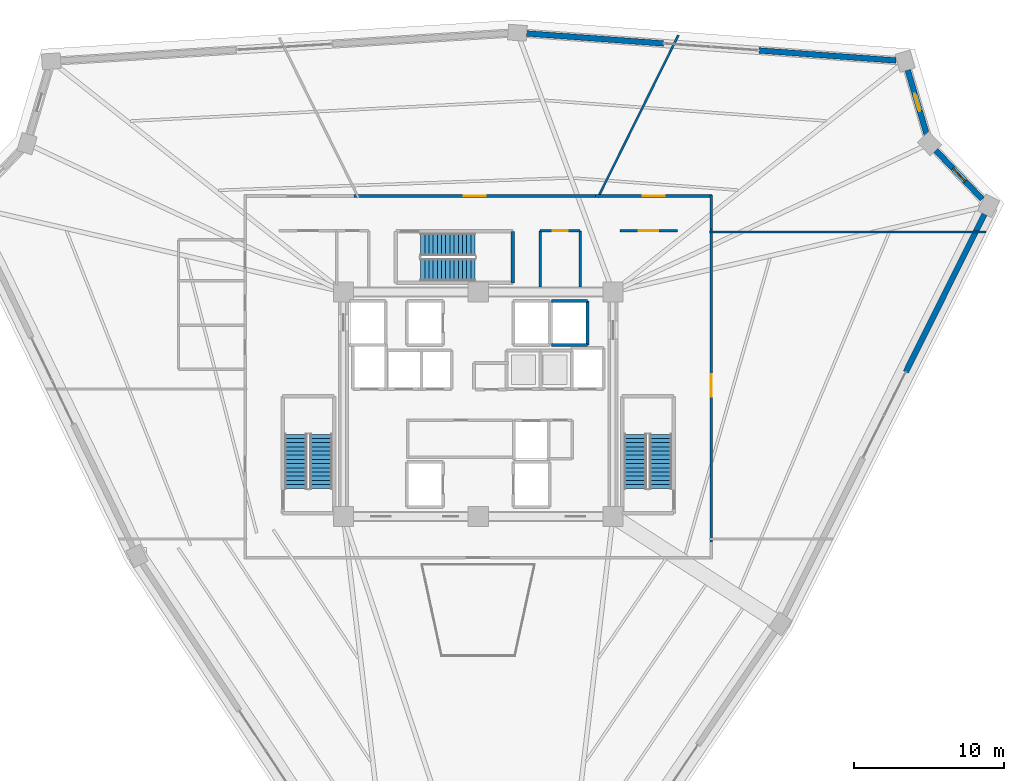
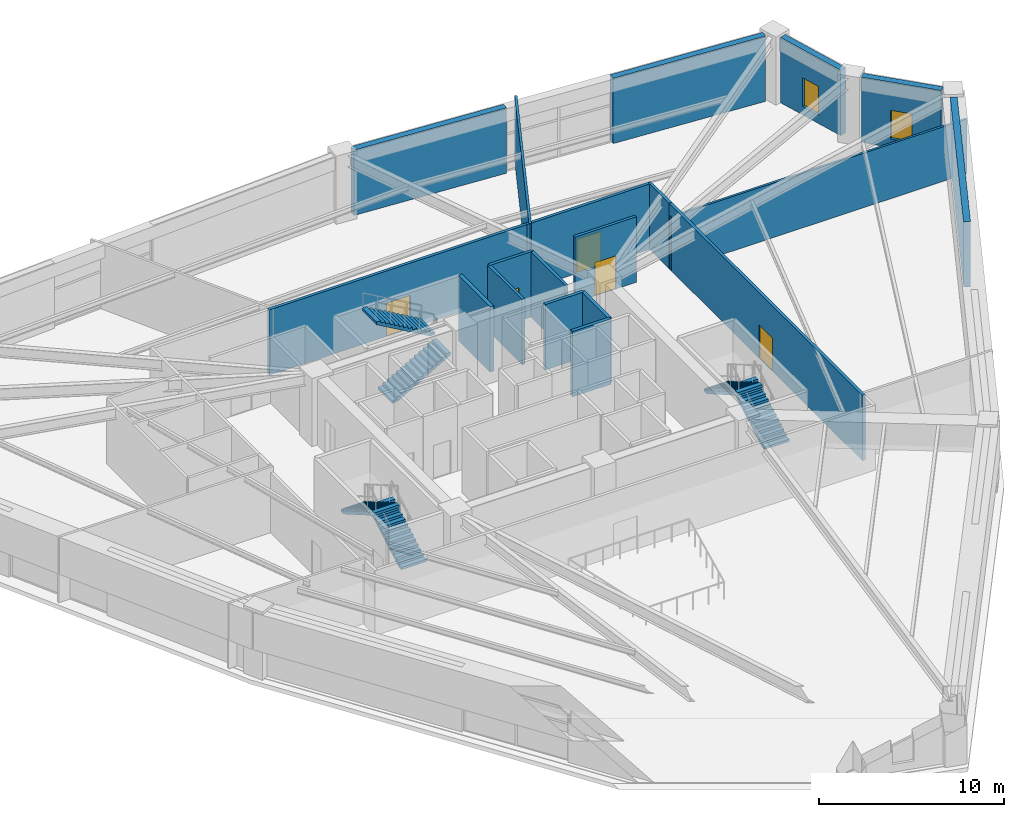
# One storey, part 35 of 39: 19 walls, 6 stair flights, 5 doors, 2 windows, 7 openings, 3 elements without a shape of their own.
"""IFC4 building model written with IfcOpenShell, lengths in metres."""

import ifcopenshell
import ifcopenshell.guid

model = None  # the IFC model being written
_history = None  # IfcOwnerHistory: only IFC2X3 demands one
_inside = {}  # id of a spatial element -> (the spatial element, [elements in it])
_under = {}  # id of a project, library or spatial element -> (it, [spatial elements below it])
_declared = {}  # id of a project -> (the project, [libraries it declares])
_typed = {}  # id of a type object -> (the type object, [elements of that type])
_made_of = {}  # id of a material, layer set ... -> (it, [elements and type objects made of it])


def new_model(schema):
    """Start an empty IFC model of exactly this schema.

    Asked for "IFC4X3", IfcOpenShell would pick the latest addendum, in which some entities
    have other attributes; the version numbers below select the first issue.
    IFC2X3 requires an IfcOwnerHistory on every rooted entity: one is made here for all.
    """
    global model, _history
    if schema == "IFC4X3":
        model = ifcopenshell.file(schema_version=(4, 3, 0, 0))
    else:
        model = ifcopenshell.file(schema=schema)
    _inside.clear()
    _under.clear()
    _declared.clear()
    _typed.clear()
    _made_of.clear()
    _history = None
    if model.schema == "IFC2X3":
        org = make("IfcOrganization", Name="unknown")
        user = make(
            "IfcPersonAndOrganization",
            ThePerson=make("IfcPerson", FamilyName="unknown"),
            TheOrganization=org,
        )
        app = make(
            "IfcApplication",
            ApplicationDeveloper=org,
            Version="unknown",
            ApplicationFullName="unknown",
            ApplicationIdentifier="unknown",
        )
        _history = make(
            "IfcOwnerHistory",
            OwningUser=user,
            OwningApplication=app,
            ChangeAction="ADDED",
            CreationDate=0,
        )
    return model


def make(cls, **values):
    """One entity of the class cls with the attributes given. An attribute that is None is left unset."""
    return model.create_entity(
        cls, **{name: value for name, value in values.items() if value is not None}
    )


def rooted(cls, **values):
    """An entity with a GlobalId (a new one), such as an element, a storey or a relation."""
    return make(cls, GlobalId=ifcopenshell.guid.new(), OwnerHistory=_history, **values)


def si_unit(unit_type, name, prefix=None):
    """IfcSIUnit, for example si_unit("LENGTHUNIT", "METRE", prefix="MILLI")."""
    return make("IfcSIUnit", UnitType=unit_type, Prefix=prefix, Name=name)


def assignment(units):
    """IfcUnitAssignment: the units of a project."""
    return None if units is None else make("IfcUnitAssignment", Units=units)


def point(xyz):
    """IfcCartesianPoint."""
    return None if xyz is None else make("IfcCartesianPoint", Coordinates=xyz)


def direction(xyz):
    """IfcDirection."""
    return None if xyz is None else make("IfcDirection", DirectionRatios=xyz)


def frame(location, z_axis=None, x_axis=None):
    """IfcAxis2Placement3D, a coordinate frame: its origin and axes. An axis left out is left unset."""
    return make(
        "IfcAxis2Placement3D",
        Location=point(location),
        Axis=direction(z_axis),
        RefDirection=direction(x_axis),
    )


def frame_2d(location, x_axis=None):
    """IfcAxis2Placement2D, a coordinate frame in the plane: its origin and x axis."""
    return make(
        "IfcAxis2Placement2D", Location=point(location), RefDirection=direction(x_axis)
    )


def origin():
    """The frame at (0, 0, 0) with its axes left unset."""
    return frame((0.0, 0.0, 0.0))


def place(relative_to, where):
    """IfcLocalPlacement: puts the frame where relative to a parent placement (None: the world)."""
    return make(
        "IfcLocalPlacement", PlacementRelTo=relative_to, RelativePlacement=where
    )


def context(
    kind, dimensions, precision=None, world=None, true_north=None, identifier=None
):
    """IfcGeometricRepresentationContext, for example the 3D "Model" context."""
    return make(
        "IfcGeometricRepresentationContext",
        ContextIdentifier=identifier,
        ContextType=kind,
        CoordinateSpaceDimension=dimensions,
        Precision=precision,
        WorldCoordinateSystem=world,
        TrueNorth=true_north,
    )


def subcontext(parent, identifier, kind, view, scale=None):
    """IfcGeometricRepresentationSubContext, for example "Body" below "Model"."""
    return make(
        "IfcGeometricRepresentationSubContext",
        ContextIdentifier=identifier,
        ContextType=kind,
        ParentContext=parent,
        TargetScale=scale,
        TargetView=view,
    )


def project(units=None, contexts=None):
    """IfcProject with its units and contexts."""
    return rooted(
        "IfcProject",
        Name="project",
        RepresentationContexts=contexts,
        UnitsInContext=assignment(units),
    )


def spatial(cls, under=None, at=None, **own):
    """A site, building, storey or space (cls), placed at a placement, below another one or the project."""
    s = rooted(cls, ObjectPlacement=at, **own)
    if under is not None:
        _under.setdefault(under.id(), (under, []))[1].append(s)
    return s


def polyline(points):
    """IfcPolyline through the points."""
    return make("IfcPolyline", Points=[point(p) for p in points])


def profile(cls, at=None, kind="AREA", **sizes):
    """A parametric profile (cls). Its sizes go by their IFC names, for example OverallWidth=200.0."""
    return make(cls, ProfileType=kind, Position=at, **sizes)


def rectangle(**sizes):
    """IfcRectangleProfileDef."""
    return profile("IfcRectangleProfileDef", **sizes)


def outline(outer, holes=None, kind="AREA"):
    """IfcArbitraryClosedProfileDef: a profile drawn as a closed curve; with holes, ...WithVoids."""
    if holes is None:
        return make("IfcArbitraryClosedProfileDef", ProfileType=kind, OuterCurve=outer)
    return make(
        "IfcArbitraryProfileDefWithVoids",
        ProfileType=kind,
        OuterCurve=outer,
        InnerCurves=holes,
    )


def extrude(swept, where, along, depth):
    """IfcExtrudedAreaSolid: the profile swept, set in the frame where, extruded along a direction by depth."""
    return make(
        "IfcExtrudedAreaSolid",
        SweptArea=swept,
        Position=where,
        ExtrudedDirection=direction(along),
        Depth=depth,
    )


def shape(context_of_items, identifier, shape_type, items):
    """IfcShapeRepresentation: the items that make up one representation, for example the "Body"."""
    return make(
        "IfcShapeRepresentation",
        ContextOfItems=context_of_items,
        RepresentationIdentifier=identifier,
        RepresentationType=shape_type,
        Items=items,
    )


def source(mapping_origin, context_of_items, identifier, shape_type, items):
    """IfcRepresentationMap: a shape defined once, which mapped items show again and again."""
    return make(
        "IfcRepresentationMap",
        MappingOrigin=mapping_origin,
        MappedRepresentation=shape(context_of_items, identifier, shape_type, items),
    )


def transform(
    local_origin,
    x_axis=None,
    y_axis=None,
    z_axis=None,
    scale=None,
    scale2=None,
    scale3=None,
    uniform=True,
):
    """IfcCartesianTransformationOperator3D, or its non-uniform kind. x_axis, y_axis, z_axis: its Axis1, 2, 3."""
    if uniform:
        return make(
            "IfcCartesianTransformationOperator3D",
            Axis1=direction(x_axis),
            Axis2=direction(y_axis),
            LocalOrigin=point(local_origin),
            Scale=scale,
            Axis3=direction(z_axis),
        )
    return make(
        "IfcCartesianTransformationOperator3DnonUniform",
        Axis1=direction(x_axis),
        Axis2=direction(y_axis),
        LocalOrigin=point(local_origin),
        Scale=scale,
        Axis3=direction(z_axis),
        Scale2=scale2,
        Scale3=scale3,
    )


def mapped(mapping_source, mapping_target):
    """IfcMappedItem: shows the shape of a source again, moved by a transform."""
    return make(
        "IfcMappedItem", MappingSource=mapping_source, MappingTarget=mapping_target
    )


def material(Name=None, Category=None):
    """IfcMaterial."""
    return make("IfcMaterial", Name=Name, Category=Category)


def layer(
    of_material, thickness, ventilated=None, Name=None, Category=None, Priority=None
):
    """IfcMaterialLayer: one layer of a wall or slab, of a material (None: an air gap)."""
    return make(
        "IfcMaterialLayer",
        Material=of_material,
        LayerThickness=thickness,
        IsVentilated=ventilated,
        Name=Name,
        Category=Category,
        Priority=Priority,
    )


def layer_set(layers, Name=None):
    """IfcMaterialLayerSet."""
    return make("IfcMaterialLayerSet", MaterialLayers=layers, LayerSetName=Name)


def made_of(thing, what):
    """Note that an element or type object is made of a material, layer set ...; save() writes the relation."""
    if what is not None:
        _made_of.setdefault(what.id(), (what, []))[1].append(thing)
    return thing


def type_object(cls, material=None, **own):
    """A type object (cls), such as IfcWallType, which elements share."""
    return made_of(rooted(cls, **own), material)


def element(
    cls,
    number,
    at=None,
    inside=None,
    cuts=None,
    type_object=None,
    material=None,
    context=None,
    identifier="Body",
    shape_type=None,
    held_by="IfcProductDefinitionShape",
    body=None,
    shapes=None,
    **own,
):
    """One element of the class cls, such as IfcWall. Its Tag is "e" and its number.

    at: its placement. inside: the storey or other place that contains it. cuts: it is an
    opening in that element (IfcRelVoidsElement). A single representation is given by context,
    identifier, shape_type and body (its items); several are given by shapes. held_by: the class
    of the entity that holds the representations. save() writes the other relations.
    """
    e = rooted(cls, Tag="e%d" % number, ObjectPlacement=at, **own)
    if body is not None:
        shapes = [shape(context, identifier, shape_type, body)]
    if shapes is not None:
        e.Representation = make(held_by, Representations=shapes)
    if inside is not None:
        _inside.setdefault(inside.id(), (inside, []))[1].append(e)
    if cuts is not None:
        rooted(
            "IfcRelVoidsElement", RelatingBuildingElement=cuts, RelatedOpeningElement=e
        )
    if type_object is not None:
        _typed.setdefault(type_object.id(), (type_object, []))[1].append(e)
    return made_of(e, material)


def fill(opening, filler):
    """IfcRelFillsElement: the door or window that sits in an opening."""
    return rooted(
        "IfcRelFillsElement",
        RelatingOpeningElement=opening,
        RelatedBuildingElement=filler,
    )


def aggregate(whole, parts):
    """IfcRelAggregates: a whole, such as a stair, and the parts it consists of."""
    return rooted("IfcRelAggregates", RelatingObject=whole, RelatedObjects=parts)


def save(model, path):
    """Write the relations noted so far, then the file.

    IfcRelAggregates (storeys below a building ...), IfcRelContainedInSpatialStructure (elements
    in a storey), IfcRelDefinesByType, IfcRelAssociatesMaterial and IfcRelDeclares: one each for
    every whole, place, type object, material and project.
    """
    for whole, parts in _under.values():
        aggregate(whole, parts)
    for where, things in _inside.values():
        rooted(
            "IfcRelContainedInSpatialStructure",
            RelatedElements=things,
            RelatingStructure=where,
        )
    for kind, things in _typed.values():
        rooted("IfcRelDefinesByType", RelatedObjects=things, RelatingType=kind)
    for what, things in _made_of.values():
        rooted("IfcRelAssociatesMaterial", RelatedObjects=things, RelatingMaterial=what)
    for by, libraries in _declared.values():
        rooted("IfcRelDeclares", RelatingContext=by, RelatedDefinitions=libraries)
    model.write(path)


model = new_model("IFC4")

# Units and contexts
model_context = context("Model", 3, precision=1e-05, world=origin(), true_north=direction((0.0, 1.0)))
body_context = subcontext(model_context, "Body", "Model", "MODEL_VIEW")
ifc_project = project(units=[si_unit("LENGTHUNIT", "METRE"), si_unit("AREAUNIT", "SQUARE_METRE"), si_unit("VOLUMEUNIT", "CUBIC_METRE"), si_unit("PLANEANGLEUNIT", "RADIAN"), si_unit("MASSUNIT", "GRAM", prefix="KILO")], contexts=[model_context])

# Site, building, storey
site_placement = place(None, origin())
site = spatial("IfcSite", under=ifc_project, at=site_placement, CompositionType="ELEMENT")
building_placement = place(site_placement, origin())
building = spatial("IfcBuilding", under=site, at=building_placement, Name="Liaohun Quay Tower", CompositionType="ELEMENT")
storey_placement = place(building_placement, frame((0.0, 0.0, 189.75)))
storey = spatial("IfcBuildingStorey", under=building, at=storey_placement, Name="L49", CompositionType="ELEMENT", Elevation=189.75)

# Wall
ifc_material_1 = material(Name="Precast concrete C50 insulated sandwich", Category="concrete")
ifc_layer_1 = layer(ifc_material_1, 0.3798828125, Name="Precast concrete C50 insulated sandwich", Category="concrete")
ifc_layer_set_1 = layer_set([ifc_layer_1], Name="Precast concrete C50 insulated sandwich")
wall_type_1 = type_object("IfcWallType", Name="WAL-EXT-Z34", PredefinedType="SOLIDWALL", material=ifc_layer_set_1)
wall_1_placement = place(storey_placement, frame((88.56591796875, 56.14990234375, 0.0), z_axis=(0.0, 0.0, 1.0), x_axis=(0.446160912156, 0.894952758789, 0.0)))
element("IfcWall", 1, at=wall_1_placement, inside=storey, type_object=wall_type_1, Name="L49 Belvedere Flank Pier Wall 03R", PredefinedType="SOLIDWALL", context=body_context, shape_type="SweptSolid", body=[
    extrude(rectangle(XDim=11.78515625, YDim=0.3798828125, at=frame_2d((5.892578125, 0.0))), origin(), (0.0, 0.0, 1.0), 4.320068359375),
])

# Wall, opening, window
wall_2_placement = place(storey_placement, frame((93.674072265625, 67.693115234375, 0.0), z_axis=(0.0, 0.0, 1.0), x_axis=(-0.689502290867, 0.724283501737, 0.0)))
wall_2 = element("IfcWall", 2, at=wall_2_placement, inside=storey, type_object=wall_type_1, Name="L49 Corner Notch Precast Pier Wall 04", PredefinedType="SOLIDWALL", context=body_context, shape_type="SweptSolid", body=[
    extrude(rectangle(XDim=4.50634765625, YDim=0.3798828125, at=frame_2d((2.253173828125, 0.0))), origin(), (0.0, 0.0, 1.0), 4.320068359375),
])
shared_shape_1 = source(origin(), body_context, "Body", "SweptSolid", [
    extrude(rectangle(XDim=1.199951171875, YDim=1.89990234375, at=frame_2d((0.60009765625, 0.949951171875))), frame((0.0, 0.199951171875, 0.0), z_axis=(0.0, -1.0, 0.0), x_axis=(1.0, 0.0, 0.0)), (0.0, 0.0, 1.0), 0.39990234375),
])
opening_1_placement = place(wall_2_placement, frame((1.653076171875, 0.0, 0.550048828125)))
opening_1 = element("IfcOpeningElement", 3, at=opening_1_placement, cuts=wall_2, Name="Opening W05", PredefinedType="OPENING", context=body_context, shape_type="MappedRepresentation", body=[
    mapped(shared_shape_1, transform((0.0, 0.0, 0.0), x_axis=(1.0, 0.0, 0.0), y_axis=(0.0, 1.0, 0.0), z_axis=(0.0, 0.0, 1.0), scale=1.0)),
])
ifc_material_2 = material(Name="Triple Low-E corner notch glazing", Category="glass")
window_type = type_object("IfcWindowType", Name="WIN-NOTCH", PartitioningType="SINGLE_PANEL", PredefinedType="WINDOW", material=ifc_material_2)
shared_shape_2 = source(origin(), body_context, "Body", "SweptSolid", [
    extrude(rectangle(XDim=1.199951171875, YDim=1.89990234375, at=frame_2d((0.60009765625, 0.949951171875))), frame((0.0, 0.030029296875, 0.0), z_axis=(0.0, -1.0, 0.0), x_axis=(1.0, 0.0, 0.0)), (0.0, 0.0, 1.0), 0.06005859375),
])
window_1_placement = place(opening_1_placement, origin())
window_1 = element("IfcWindow", 4, at=window_1_placement, inside=storey, type_object=window_type, Name="L49 Corner Notch Window W05-04", OverallHeight=1.89990234375, OverallWidth=1.199951171875, PartitioningType="SINGLE_PANEL", PredefinedType="WINDOW", context=body_context, shape_type="MappedRepresentation", body=[
    mapped(shared_shape_2, transform((0.0, 0.0, 0.0), x_axis=(1.0, 0.0, 0.0), y_axis=(0.0, 1.0, 0.0), z_axis=(0.0, 0.0, 1.0), scale=1.0)),
])
fill(opening_1, window_1)

wall_3_placement = place(storey_placement, frame((89.968994140625, 71.992919921875, 0.0), z_axis=(0.0, 0.0, 1.0), x_axis=(-0.28264064014, 0.959225869408, 0.0)))
wall_3 = element("IfcWall", 5, at=wall_3_placement, inside=storey, type_object=wall_type_1, Name="L49 Corner Notch Precast Pier Wall 05", PredefinedType="SOLIDWALL", context=body_context, shape_type="SweptSolid", body=[
    extrude(rectangle(XDim=4.51416015625, YDim=0.3798828125, at=frame_2d((2.257080078125, 0.0))), origin(), (0.0, 0.0, 1.0), 4.320068359375),
])
opening_2_placement = place(wall_3_placement, frame((1.656982421875, 0.0, 0.550048828125)))
opening_2 = element("IfcOpeningElement", 6, at=opening_2_placement, cuts=wall_3, Name="Opening W05", PredefinedType="OPENING", context=body_context, shape_type="MappedRepresentation", body=[
    mapped(shared_shape_1, transform((0.0, 0.0, 0.0), x_axis=(1.0, 0.0, 0.0), y_axis=(0.0, 1.0, 0.0), z_axis=(0.0, 0.0, 1.0), scale=1.0)),
])
window_2_placement = place(opening_2_placement, origin())
window_2 = element("IfcWindow", 7, at=window_2_placement, inside=storey, type_object=window_type, Name="L49 Corner Notch Window W05-05", OverallHeight=1.89990234375, OverallWidth=1.199951171875, PartitioningType="SINGLE_PANEL", PredefinedType="WINDOW", context=body_context, shape_type="MappedRepresentation", body=[
    mapped(shared_shape_2, transform((0.0, 0.0, 0.0), x_axis=(1.0, 0.0, 0.0), y_axis=(0.0, 1.0, 0.0), z_axis=(0.0, 0.0, 1.0), scale=1.0)),
])
fill(opening_2, window_2)

# Walls
for number, where, z_axis, x_axis, name in (
    (8, (87.906005859375, 76.9580078125, 0.0), (0.0, 0.0, 1.0), (-0.99731981009, 0.073165541089, 0.0), "L49 Belvedere Flank Pier Wall 06L"),
    (9, (72.3779296875, 78.095947265625, 0.0), (0.0, 0.0, 1.0), (-0.997317866929, 0.073192023498, 0.0), "L49 Belvedere Flank Pier Wall 06R"),
):
    element("IfcWall", number, at=place(storey_placement, frame(where, z_axis=z_axis, x_axis=x_axis)), inside=storey, type_object=wall_type_1, Name=name, PredefinedType="SOLIDWALL", context=body_context, shape_type="SweptSolid", body=[
        extrude(rectangle(XDim=9.169677734375, YDim=0.3798828125, at=frame_2d((4.5849609375, 0.0))), origin(), (0.0, 0.0, 1.0), 4.320068359375),
    ])

# Wall, opening, door
ifc_material_3 = material(Name="Autoclaved aerated concrete blockwork", Category="masonry")
ifc_layer_2 = layer(ifc_material_3, 0.179931640625, Name="Autoclaved aerated concrete blockwork", Category="masonry")
ifc_layer_set_2 = layer_set([ifc_layer_2], Name="Autoclaved aerated concrete blockwork")
wall_type_2 = type_object("IfcWallType", Name="WAL-PRT-COR", PredefinedType="PARTITIONING", material=ifc_layer_set_2)
wall_4_placement = place(storey_placement, frame((64.139892578125, 65.580078125, 0.0), z_axis=(0.0, 0.0, 1.0), x_axis=(1.0, 0.0, 0.0)))
wall_4 = element("IfcWall", 10, at=wall_4_placement, inside=storey, type_object=wall_type_2, Name="L49 Interior Partition Wall 008", PredefinedType="PARTITIONING", context=body_context, shape_type="SweptSolid", body=[
    extrude(rectangle(XDim=2.670166015625, YDim=0.179931640625, at=frame_2d((1.3349609375, 0.0))), origin(), (0.0, 0.0, 1.0), 4.320068359375),
])
shared_shape_3 = source(origin(), body_context, "Body", "SweptSolid", [
    extrude(rectangle(XDim=1.0, YDim=2.199951171875, at=frame_2d((0.5, 1.10009765625))), frame((0.0, 0.099853515625, 0.0), z_axis=(0.0, -1.0, 0.0), x_axis=(1.0, 0.0, 0.0)), (0.0, 0.0, 1.0), 0.199951171875),
])
opening_3_placement = place(wall_4_placement, frame((0.8349609375, 0.0, 0.0)))
opening_3 = element("IfcOpeningElement", 11, at=opening_3_placement, cuts=wall_4, Name="Opening OD1", PredefinedType="OPENING", context=body_context, shape_type="MappedRepresentation", body=[
    mapped(shared_shape_3, transform((0.0, 0.0, 0.0), x_axis=(1.0, 0.0, 0.0), y_axis=(0.0, 1.0, 0.0), z_axis=(0.0, 0.0, 1.0), scale=1.0)),
])
ifc_material_4 = material(Name="Solid-core oak veneer timber leaf in steel frame", Category="steel")
door_type_1 = type_object("IfcDoorType", Name="DOR-OFF-1000", OperationType="NOTDEFINED", PredefinedType="DOOR", material=ifc_material_4)
shared_shape_4 = source(origin(), body_context, "Body", "SweptSolid", [
    extrude(rectangle(XDim=1.0, YDim=2.199951171875, at=frame_2d((0.5, 1.10009765625))), frame((0.0, 0.02490234375, 0.0), z_axis=(0.0, -1.0, 0.0), x_axis=(1.0, 0.0, 0.0)), (0.0, 0.0, 1.0), 0.050048828125),
])
door_1_placement = place(opening_3_placement, origin())
door_1 = element("IfcDoor", 12, at=door_1_placement, inside=storey, type_object=door_type_1, Name="L49 North-East Server Closet Door", OperationType="SINGLE_SWING_RIGHT", OverallHeight=2.199951171875, OverallWidth=1.0, PredefinedType="DOOR", context=body_context, shape_type="MappedRepresentation", body=[
    mapped(shared_shape_4, transform((0.0, 0.0, 0.0), x_axis=(1.0, 0.0, 0.0), y_axis=(0.0, 1.0, 0.0), z_axis=(0.0, 0.0, 1.0), scale=1.0)),
])
fill(opening_3, door_1)

wall_5_placement = place(storey_placement, frame((69.4599609375, 65.580078125, 0.0), z_axis=(0.0, 0.0, 1.0), x_axis=(1.0, 0.0, 0.0)))
wall_5 = element("IfcWall", 13, at=wall_5_placement, inside=storey, type_object=wall_type_2, Name="L49 Interior Partition Wall 010", PredefinedType="PARTITIONING", context=body_context, shape_type="SweptSolid", body=[
    extrude(rectangle(XDim=3.840087890625, YDim=0.179931640625, at=frame_2d((1.919921875, 0.0))), origin(), (0.0, 0.0, 1.0), 4.320068359375),
])
shared_shape_5 = source(origin(), body_context, "Body", "SweptSolid", [
    extrude(rectangle(XDim=1.300048828125, YDim=2.199951171875, at=frame_2d((0.64990234375, 1.10009765625))), frame((0.0, 0.099853515625, 0.0), z_axis=(0.0, -1.0, 0.0), x_axis=(1.0, 0.0, 0.0)), (0.0, 0.0, 1.0), 0.199951171875),
])
opening_4_placement = place(wall_5_placement, frame((1.27001953125, 0.0, 0.0)))
opening_4 = element("IfcOpeningElement", 14, at=opening_4_placement, cuts=wall_5, Name="Opening FD1", PredefinedType="OPENING", context=body_context, shape_type="MappedRepresentation", body=[
    mapped(shared_shape_5, transform((0.0, 0.0, 0.0), x_axis=(1.0, 0.0, 0.0), y_axis=(0.0, 1.0, 0.0), z_axis=(0.0, 0.0, 1.0), scale=1.0)),
])
ifc_material_5 = material(Name="Galvanised steel smokeproof fire door", Category="steel")
door_type_2 = type_object("IfcDoorType", Name="DOR-FFL-1300", OperationType="NOTDEFINED", PredefinedType="DOOR", material=ifc_material_5)
shared_shape_6 = source(origin(), body_context, "Body", "SweptSolid", [
    extrude(rectangle(XDim=1.300048828125, YDim=2.199951171875, at=frame_2d((0.64990234375, 1.10009765625))), frame((0.0, 0.02490234375, 0.0), z_axis=(0.0, -1.0, 0.0), x_axis=(1.0, 0.0, 0.0)), (0.0, 0.0, 1.0), 0.050048828125),
])
door_2_placement = place(opening_4_placement, origin())
door_2 = element("IfcDoor", 15, at=door_2_placement, inside=storey, type_object=door_type_2, Name="L49 East Core Vestibule Door", OperationType="SINGLE_SWING_RIGHT", OverallHeight=2.199951171875, OverallWidth=1.300048828125, PredefinedType="DOOR", context=body_context, shape_type="MappedRepresentation", body=[
    mapped(shared_shape_6, transform((0.0, 0.0, 0.0), x_axis=(1.0, 0.0, 0.0), y_axis=(0.0, 1.0, 0.0), z_axis=(0.0, 0.0, 1.0), scale=1.0)),
])
fill(opening_4, door_2)

wall_6_placement = place(storey_placement, frame((75.56005859375, 65.715087890625, 0.0), z_axis=(0.0, 0.0, 1.0), x_axis=(0.0, -1.0, 0.0)))
wall_6 = element("IfcWall", 16, at=wall_6_placement, inside=storey, type_object=wall_type_2, Name="L49 Interior Partition Wall 011", PredefinedType="PARTITIONING", context=body_context, shape_type="SweptSolid", body=[
    extrude(rectangle(XDim=20.93017578125, YDim=0.179931640625, at=frame_2d((10.465087890625, 0.0))), origin(), (0.0, 0.0, 1.0), 4.320068359375),
])
shared_shape_7 = source(origin(), body_context, "Body", "SweptSolid", [
    extrude(rectangle(XDim=1.5, YDim=2.199951171875, at=frame_2d((0.75, 1.10009765625))), frame((0.0, 0.099853515625, 0.0), z_axis=(0.0, -1.0, 0.0), x_axis=(1.0, 0.0, 0.0)), (0.0, 0.0, 1.0), 0.199951171875),
])
opening_5_placement = place(wall_6_placement, frame((9.715087890625, 0.0, 0.0)))
opening_5 = element("IfcOpeningElement", 17, at=opening_5_placement, cuts=wall_6, Name="Opening OD2", PredefinedType="OPENING", context=body_context, shape_type="MappedRepresentation", body=[
    mapped(shared_shape_7, transform((0.0, 0.0, 0.0), x_axis=(1.0, 0.0, 0.0), y_axis=(0.0, 1.0, 0.0), z_axis=(0.0, 0.0, 1.0), scale=1.0)),
])
ifc_material_6 = material(Name="Acoustic oak veneer double door")
door_type_3 = type_object("IfcDoorType", Name="DOR-OFF-1500", OperationType="DOUBLE_DOOR_SINGLE_SWING", PredefinedType="DOOR", material=ifc_material_6)
shared_shape_8 = source(origin(), body_context, "Body", "SweptSolid", [
    extrude(rectangle(XDim=1.5, YDim=2.199951171875, at=frame_2d((0.75, 1.10009765625))), frame((0.0, 0.02490234375, 0.0), z_axis=(0.0, -1.0, 0.0), x_axis=(1.0, 0.0, 0.0)), (0.0, 0.0, 1.0), 0.050048828125),
])
door_3_placement = place(opening_5_placement, origin())
door_3 = element("IfcDoor", 18, at=door_3_placement, inside=storey, type_object=door_type_3, Name="L49 Mid-Zone Sky Lobby Concourse 01 Door", OperationType="DOUBLE_DOOR_SINGLE_SWING", OverallHeight=2.199951171875, OverallWidth=1.5, PredefinedType="DOOR", context=body_context, shape_type="MappedRepresentation", body=[
    mapped(shared_shape_8, transform((0.0, 0.0, 0.0), x_axis=(1.0, 0.0, 0.0), y_axis=(0.0, 1.0, 0.0), z_axis=(0.0, 0.0, 1.0), scale=1.0)),
])
fill(opening_5, door_3)

wall_7_placement = place(storey_placement, frame((67.822998046875, 67.909912109375, 0.0), z_axis=(0.0, 0.0, 1.0), x_axis=(1.0, 0.0, 0.0)))
wall_7 = element("IfcWall", 19, at=wall_7_placement, inside=storey, type_object=wall_type_2, Name="L49 Interior Partition Wall 012", PredefinedType="PARTITIONING", context=body_context, shape_type="SweptSolid", body=[
    extrude(rectangle(XDim=7.806884765625, YDim=0.179931640625, at=frame_2d((3.9033203125, 0.0))), origin(), (0.0, 0.0, 1.0), 4.320068359375),
])
opening_6_placement = place(wall_7_placement, frame((3.154052734375, 0.0, 0.0)))
opening_6 = element("IfcOpeningElement", 20, at=opening_6_placement, cuts=wall_7, Name="Opening OD2", PredefinedType="OPENING", context=body_context, shape_type="MappedRepresentation", body=[
    mapped(shared_shape_7, transform((0.0, 0.0, 0.0), x_axis=(1.0, 0.0, 0.0), y_axis=(0.0, 1.0, 0.0), z_axis=(0.0, 0.0, 1.0), scale=1.0)),
])
door_4_placement = place(opening_6_placement, origin())
door_4 = element("IfcDoor", 21, at=door_4_placement, inside=storey, type_object=door_type_3, Name="L49 Executive Reference Library 02 Door", OperationType="DOUBLE_DOOR_SINGLE_SWING", OverallHeight=2.199951171875, OverallWidth=1.5, PredefinedType="DOOR", context=body_context, shape_type="MappedRepresentation", body=[
    mapped(shared_shape_8, transform((0.0, 0.0, 0.0), x_axis=(1.0, 0.0, 0.0), y_axis=(0.0, 1.0, 0.0), z_axis=(0.0, 0.0, 1.0), scale=1.0)),
])
fill(opening_6, door_4)

wall_8_placement = place(storey_placement, frame((51.714111328125, 67.909912109375, 0.0), z_axis=(0.0, 0.0, 1.0), x_axis=(1.0, 0.0, 0.0)))
wall_8 = element("IfcWall", 22, at=wall_8_placement, inside=storey, type_object=wall_type_2, Name="L49 Interior Partition Wall 013", PredefinedType="PARTITIONING", context=body_context, shape_type="SweptSolid", body=[
    extrude(rectangle(XDim=16.10888671875, YDim=0.179931640625, at=frame_2d((8.054443359375, 0.0))), origin(), (0.0, 0.0, 1.0), 4.320068359375),
])
opening_7_placement = place(wall_8_placement, frame((7.303955078125, 0.0, 0.0)))
opening_7 = element("IfcOpeningElement", 23, at=opening_7_placement, cuts=wall_8, Name="Opening OD2", PredefinedType="OPENING", context=body_context, shape_type="MappedRepresentation", body=[
    mapped(shared_shape_7, transform((0.0, 0.0, 0.0), x_axis=(1.0, 0.0, 0.0), y_axis=(0.0, 1.0, 0.0), z_axis=(0.0, 0.0, 1.0), scale=1.0)),
])
door_5_placement = place(opening_7_placement, origin())
door_5 = element("IfcDoor", 24, at=door_5_placement, inside=storey, type_object=door_type_3, Name="L49 Tenant Wellness Clinic 03 Door", OperationType="DOUBLE_DOOR_SINGLE_SWING", OverallHeight=2.199951171875, OverallWidth=1.5, PredefinedType="DOOR", context=body_context, shape_type="MappedRepresentation", body=[
    mapped(shared_shape_8, transform((0.0, 0.0, 0.0), x_axis=(1.0, 0.0, 0.0), y_axis=(0.0, 1.0, 0.0), z_axis=(0.0, 0.0, 1.0), scale=1.0)),
])
fill(opening_7, door_5)

# Walls
for number, where, z_axis, x_axis, name in (
    (25, (64.139892578125, 61.824951171875, 0.0), (0.0, 0.0, 1.0), (0.0, 1.0, 0.0), "L49 Interior Partition Wall 028"),
    (26, (66.81005859375, 61.824951171875, 0.0), (0.0, 0.0, 1.0), (0.0, 1.0, 0.0), "L49 Interior Partition Wall 029"),
):
    element("IfcWall", number, at=place(storey_placement, frame(where, z_axis=z_axis, x_axis=x_axis)), inside=storey, type_object=wall_type_2, Name=name, PredefinedType="PARTITIONING", context=body_context, shape_type="SweptSolid", body=[
        extrude(rectangle(XDim=3.755126953125, YDim=0.179931640625, at=frame_2d((1.87744140625, 0.0))), origin(), (0.0, 0.0, 1.0), 4.320068359375),
    ])
wall_9_placement = place(storey_placement, frame((75.56005859375, 67.97998046875, 0.0), z_axis=(0.0, 0.0, 1.0), x_axis=(0.0, -1.0, 0.0)))
element("IfcWall", 27, at=wall_9_placement, inside=storey, type_object=wall_type_2, Name="L49 Interior Partition Wall 030", PredefinedType="PARTITIONING", context=body_context, shape_type="SweptSolid", body=[
    extrude(rectangle(XDim=2.264892578125, YDim=0.179931640625, at=frame_2d((1.13232421875, 0.0))), origin(), (0.0, 0.0, 1.0), 4.320068359375),
])
ifc_material_7 = material(Name="Gypsum board on twin steel studs", Category="steel")
ifc_layer_3 = layer(ifc_material_7, 0.139892578125, Name="Gypsum board on twin steel studs", Category="steel")
ifc_layer_set_3 = layer_set([ifc_layer_3], Name="Gypsum board on twin steel studs")
wall_type_3 = type_object("IfcWallType", Name="WAL-PRT-OFF", PredefinedType="PARTITIONING", material=ifc_layer_set_3)
wall_10_placement = place(storey_placement, frame((75.4599609375, 65.5, 0.0), z_axis=(0.0, 0.0, 1.0), x_axis=(1.0, 0.0, 0.0)))
element("IfcWall", 28, at=wall_10_placement, inside=storey, type_object=wall_type_3, Name="L49 Interior Partition Wall 038", PredefinedType="PARTITIONING", context=body_context, shape_type="SweptSolid", body=[
    extrude(rectangle(XDim=18.470947265625, YDim=0.139892578125, at=frame_2d((9.2353515625, 0.0))), origin(), (0.0, 0.0, 1.0), 3.60498046875),
])
wall_11_placement = place(storey_placement, frame((68.0048828125, 67.81005859375, 0.0), z_axis=(0.0, 0.0, 1.0), x_axis=(0.443683569349, 0.896183513735, 0.0)))
element("IfcWall", 29, at=wall_11_placement, inside=storey, type_object=wall_type_3, Name="L49 Interior Partition Wall 040", PredefinedType="PARTITIONING", context=body_context, shape_type="SweptSolid", body=[
    extrude(rectangle(XDim=12.101318359375, YDim=0.139892578125, at=frame_2d((6.05078125, 0.0))), origin(), (0.0, 0.0, 1.0), 4.320068359375),
])
ifc_material_8 = material(Name="Concrete C50", Category="concrete")
ifc_layer_4 = layer(ifc_material_8, 0.239990234375, Name="Concrete C50", Category="concrete")
ifc_layer_set_4 = layer_set([ifc_layer_4], Name="Concrete C50")
wall_type_4 = type_object("IfcWallType", Name="WAL-SHF-200", PredefinedType="SOLIDWALL", material=ifc_layer_set_4)
wall_12_placement = place(storey_placement, frame((62.320068359375, 62.10009765625, 0.0), z_axis=(0.0, 0.0, 1.0), x_axis=(0.0, 1.0, 0.0)))
element("IfcWall", 30, at=wall_12_placement, inside=storey, type_object=wall_type_4, Name="L49 Stairwell ST-3 Structural Core Wall E", PredefinedType="SOLIDWALL", context=body_context, shape_type="SweptSolid", body=[
    extrude(rectangle(XDim=3.43994140625, YDim=0.239990234375, at=frame_2d((1.719970703125, 0.0))), origin(), (0.0, 0.0, 1.0), 4.320068359375),
])
wall_13_placement = place(storey_placement, frame((64.89990234375, 57.949951171875, 0.0), z_axis=(0.0, 0.0, 1.0), x_axis=(1.0, 0.0, 0.0)))
element("IfcWall", 31, at=wall_13_placement, inside=storey, type_object=wall_type_4, Name="L49 Lift OB-02 Hoistway Wall S", PredefinedType="SOLIDWALL", context=body_context, shape_type="SweptSolid", body=[
    extrude(rectangle(XDim=2.400146484375, YDim=0.199951171875, at=frame_2d((1.2001953125, 0.0))), origin(), (0.0, 0.0, 1.0), 4.320068359375),
])
wall_14_placement = place(storey_placement, frame((67.300048828125, 57.949951171875, 0.0), z_axis=(0.0, 0.0, 1.0), x_axis=(0.0, 1.0, 0.0)))
element("IfcWall", 32, at=wall_14_placement, inside=storey, type_object=wall_type_4, Name="L49 Lift OB-02 Hoistway Wall E", PredefinedType="SOLIDWALL", context=body_context, shape_type="SweptSolid", body=[
    extrude(rectangle(XDim=2.929931640625, YDim=0.199951171875, at=frame_2d((1.46484375, 0.0))), origin(), (0.0, 0.0, 1.0), 4.320068359375),
])
wall_15_placement = place(storey_placement, frame((67.300048828125, 60.8798828125, 0.0), z_axis=(0.0, 0.0, 1.0), x_axis=(-1.0, 0.0, 0.0)))
element("IfcWall", 33, at=wall_15_placement, inside=storey, type_object=wall_type_4, Name="L49 Lift OB-02 Hoistway Wall N", PredefinedType="SOLIDWALL", context=body_context, shape_type="SweptSolid", body=[
    extrude(rectangle(XDim=2.400146484375, YDim=0.199951171875, at=frame_2d((1.2001953125, 0.0))), origin(), (0.0, 0.0, 1.0), 4.320068359375),
])

# Stair, stair flights
ifc_material_9 = material(Name="Concrete C45", Category="concrete")
stair_type = type_object("IfcStairType", Name="STR-CORE-TALL", PredefinedType="HALF_TURN_STAIR", material=ifc_material_9)
stair_1_placement = place(storey_placement, origin())
stair_1 = element("IfcStair", 34, at=stair_1_placement, inside=storey, type_object=stair_type, Name="L49 Smokeproof Core Exit Stair ST-1", PredefinedType="HALF_TURN_STAIR")
stair_flight_type = type_object("IfcStairFlightType", Name="FLT-CORE-155", PredefinedType="STRAIGHT", material=ifc_material_9)
stair_flight_1_placement = place(storey_placement, frame((49.5048828125, 48.35009765625, 0.0), z_axis=(0.0, 0.0, 1.0), x_axis=(0.0, 1.0, 0.0)))
stair_flight_1 = element("IfcStairFlight", 35, at=stair_flight_1_placement, type_object=stair_flight_type, Name="ST-1 flight 1", NumberOfRisers=14, NumberOfTreads=13, PredefinedType="STRAIGHT", RiserHeight=0.160714286, TreadLength=0.28, context=body_context, shape_type="SweptSolid", body=[
    extrude(outline(polyline([(0.0, 0.0), (0.0, 0.16064453125), (0.280029296875, 0.16064453125), (0.280029296875, 0.321533203125), (0.56005859375, 0.321533203125), (0.56005859375, 0.482177734375), (0.840087890625, 0.482177734375), (0.840087890625, 0.642822265625), (1.1201171875, 0.642822265625), (1.1201171875, 0.803466796875), (1.39990234375, 0.803466796875), (1.39990234375, 0.96435546875), (1.679931640625, 0.96435546875), (1.679931640625, 1.125), (1.9599609375, 1.125), (1.9599609375, 1.28564453125), (2.239990234375, 1.28564453125), (2.239990234375, 1.446533203125), (2.52001953125, 1.446533203125), (2.52001953125, 1.607177734375), (2.800048828125, 1.607177734375), (2.800048828125, 1.767822265625), (3.080078125, 1.767822265625), (3.080078125, 1.928466796875), (3.360107421875, 1.928466796875), (3.360107421875, 2.08935546875), (3.639892578125, 2.08935546875), (3.639892578125, 2.25), (3.639892578125, 1.91650390625), (0.301025390625, 0.0), (0.0, 0.0)])), frame((0.0, 0.77490234375, 0.0), z_axis=(0.0, -1.0, 0.0), x_axis=(1.0, 0.0, 0.0)), (0.0, 0.0, 1.0), 1.550048828125),
])
stair_flight_2_placement = place(storey_placement, frame((47.81494140625, 51.989990234375, 2.25), z_axis=(0.0, 0.0, 1.0), x_axis=(0.0, -1.0, 0.0)))
stair_flight_2 = element("IfcStairFlight", 36, at=stair_flight_2_placement, type_object=stair_flight_type, Name="ST-1 flight 2", NumberOfRisers=14, NumberOfTreads=13, PredefinedType="STRAIGHT", RiserHeight=0.160714286, TreadLength=0.28, context=body_context, shape_type="SweptSolid", body=[
    extrude(outline(polyline([(0.0, 0.0), (0.0, 0.16064453125), (0.280029296875, 0.16064453125), (0.280029296875, 0.321533203125), (0.56005859375, 0.321533203125), (0.56005859375, 0.482177734375), (0.840087890625, 0.482177734375), (0.840087890625, 0.642822265625), (1.1201171875, 0.642822265625), (1.1201171875, 0.803466796875), (1.39990234375, 0.803466796875), (1.39990234375, 0.96435546875), (1.679931640625, 0.96435546875), (1.679931640625, 1.125), (1.9599609375, 1.125), (1.9599609375, 1.28564453125), (2.239990234375, 1.28564453125), (2.239990234375, 1.446533203125), (2.52001953125, 1.446533203125), (2.52001953125, 1.607177734375), (2.800048828125, 1.607177734375), (2.800048828125, 1.767822265625), (3.080078125, 1.767822265625), (3.080078125, 1.928466796875), (3.360107421875, 1.928466796875), (3.360107421875, 2.08935546875), (3.639892578125, 2.08935546875), (3.639892578125, 2.25), (3.639892578125, 1.91650390625), (0.301025390625, 0.0), (0.0, 0.0)])), frame((0.0, 0.77490234375, 0.0), z_axis=(0.0, -1.0, 0.0), x_axis=(1.0, 0.0, 0.0)), (0.0, 0.0, 1.0), 1.550048828125),
])
aggregate(stair_1, [stair_flight_1, stair_flight_2])

stair_2_placement = place(storey_placement, origin())
stair_2 = element("IfcStair", 37, at=stair_2_placement, inside=storey, type_object=stair_type, Name="L49 Smokeproof Core Exit Stair ST-2", PredefinedType="HALF_TURN_STAIR")
stair_flight_3_placement = place(storey_placement, frame((72.18505859375, 48.35009765625, 0.0), z_axis=(0.0, 0.0, 1.0), x_axis=(0.0, 1.0, 0.0)))
stair_flight_3 = element("IfcStairFlight", 38, at=stair_flight_3_placement, type_object=stair_flight_type, Name="ST-2 flight 1", NumberOfRisers=14, NumberOfTreads=13, PredefinedType="STRAIGHT", RiserHeight=0.160714286, TreadLength=0.28, context=body_context, shape_type="SweptSolid", body=[
    extrude(outline(polyline([(0.0, 0.0), (0.0, 0.16064453125), (0.280029296875, 0.16064453125), (0.280029296875, 0.321533203125), (0.56005859375, 0.321533203125), (0.56005859375, 0.482177734375), (0.840087890625, 0.482177734375), (0.840087890625, 0.642822265625), (1.1201171875, 0.642822265625), (1.1201171875, 0.803466796875), (1.39990234375, 0.803466796875), (1.39990234375, 0.96435546875), (1.679931640625, 0.96435546875), (1.679931640625, 1.125), (1.9599609375, 1.125), (1.9599609375, 1.28564453125), (2.239990234375, 1.28564453125), (2.239990234375, 1.446533203125), (2.52001953125, 1.446533203125), (2.52001953125, 1.607177734375), (2.800048828125, 1.607177734375), (2.800048828125, 1.767822265625), (3.080078125, 1.767822265625), (3.080078125, 1.928466796875), (3.360107421875, 1.928466796875), (3.360107421875, 2.08935546875), (3.639892578125, 2.08935546875), (3.639892578125, 2.25), (3.639892578125, 1.91650390625), (0.301025390625, 0.0), (0.0, 0.0)])), frame((0.0, 0.77490234375, 0.0), z_axis=(0.0, -1.0, 0.0), x_axis=(1.0, 0.0, 0.0)), (0.0, 0.0, 1.0), 1.550048828125),
])
stair_flight_4_placement = place(storey_placement, frame((70.4951171875, 51.989990234375, 2.25), z_axis=(0.0, 0.0, 1.0), x_axis=(0.0, -1.0, 0.0)))
stair_flight_4 = element("IfcStairFlight", 39, at=stair_flight_4_placement, type_object=stair_flight_type, Name="ST-2 flight 2", NumberOfRisers=14, NumberOfTreads=13, PredefinedType="STRAIGHT", RiserHeight=0.160714286, TreadLength=0.28, context=body_context, shape_type="SweptSolid", body=[
    extrude(outline(polyline([(0.0, 0.0), (0.0, 0.16064453125), (0.280029296875, 0.16064453125), (0.280029296875, 0.321533203125), (0.56005859375, 0.321533203125), (0.56005859375, 0.482177734375), (0.840087890625, 0.482177734375), (0.840087890625, 0.642822265625), (1.1201171875, 0.642822265625), (1.1201171875, 0.803466796875), (1.39990234375, 0.803466796875), (1.39990234375, 0.96435546875), (1.679931640625, 0.96435546875), (1.679931640625, 1.125), (1.9599609375, 1.125), (1.9599609375, 1.28564453125), (2.239990234375, 1.28564453125), (2.239990234375, 1.446533203125), (2.52001953125, 1.446533203125), (2.52001953125, 1.607177734375), (2.800048828125, 1.607177734375), (2.800048828125, 1.767822265625), (3.080078125, 1.767822265625), (3.080078125, 1.928466796875), (3.360107421875, 1.928466796875), (3.360107421875, 2.08935546875), (3.639892578125, 2.08935546875), (3.639892578125, 2.25), (3.639892578125, 1.91650390625), (0.301025390625, 0.0), (0.0, 0.0)])), frame((0.0, 0.77490234375, 0.0), z_axis=(0.0, -1.0, 0.0), x_axis=(1.0, 0.0, 0.0)), (0.0, 0.0, 1.0), 1.550048828125),
])
aggregate(stair_2, [stair_flight_3, stair_flight_4])

stair_3_placement = place(storey_placement, origin())
stair_3 = element("IfcStair", 40, at=stair_3_placement, inside=storey, type_object=stair_type, Name="L49 Smokeproof Core Exit Stair ST-3", PredefinedType="HALF_TURN_STAIR")
stair_flight_5_placement = place(storey_placement, frame((56.14990234375, 62.97509765625, 0.0), z_axis=(0.0, 0.0, 1.0), x_axis=(1.0, 0.0, 0.0)))
stair_flight_5 = element("IfcStairFlight", 41, at=stair_flight_5_placement, type_object=stair_flight_type, Name="ST-3 flight 1", NumberOfRisers=14, NumberOfTreads=13, PredefinedType="STRAIGHT", RiserHeight=0.160714286, TreadLength=0.28, context=body_context, shape_type="SweptSolid", body=[
    extrude(outline(polyline([(0.0, 0.0), (0.0, 0.16064453125), (0.280029296875, 0.16064453125), (0.280029296875, 0.321533203125), (0.56005859375, 0.321533203125), (0.56005859375, 0.482177734375), (0.840087890625, 0.482177734375), (0.840087890625, 0.642822265625), (1.1201171875, 0.642822265625), (1.1201171875, 0.803466796875), (1.39990234375, 0.803466796875), (1.39990234375, 0.96435546875), (1.679931640625, 0.96435546875), (1.679931640625, 1.125), (1.9599609375, 1.125), (1.9599609375, 1.28564453125), (2.239990234375, 1.28564453125), (2.239990234375, 1.446533203125), (2.52001953125, 1.446533203125), (2.52001953125, 1.607177734375), (2.800048828125, 1.607177734375), (2.800048828125, 1.767822265625), (3.080078125, 1.767822265625), (3.080078125, 1.928466796875), (3.360107421875, 1.928466796875), (3.360107421875, 2.08935546875), (3.639892578125, 2.08935546875), (3.639892578125, 2.25), (3.639892578125, 1.91650390625), (0.301025390625, 0.0), (0.0, 0.0)])), frame((0.0, 0.77490234375, 0.0), z_axis=(0.0, -1.0, 0.0), x_axis=(1.0, 0.0, 0.0)), (0.0, 0.0, 1.0), 1.550048828125),
])
stair_flight_6_placement = place(storey_placement, frame((59.7900390625, 64.6650390625, 2.25), z_axis=(0.0, 0.0, 1.0), x_axis=(-1.0, 0.0, 0.0)))
stair_flight_6 = element("IfcStairFlight", 42, at=stair_flight_6_placement, type_object=stair_flight_type, Name="ST-3 flight 2", NumberOfRisers=14, NumberOfTreads=13, PredefinedType="STRAIGHT", RiserHeight=0.160714286, TreadLength=0.28, context=body_context, shape_type="SweptSolid", body=[
    extrude(outline(polyline([(0.0, 0.0), (0.0, 0.16064453125), (0.280029296875, 0.16064453125), (0.280029296875, 0.321533203125), (0.56005859375, 0.321533203125), (0.56005859375, 0.482177734375), (0.840087890625, 0.482177734375), (0.840087890625, 0.642822265625), (1.1201171875, 0.642822265625), (1.1201171875, 0.803466796875), (1.39990234375, 0.803466796875), (1.39990234375, 0.96435546875), (1.679931640625, 0.96435546875), (1.679931640625, 1.125), (1.9599609375, 1.125), (1.9599609375, 1.28564453125), (2.239990234375, 1.28564453125), (2.239990234375, 1.446533203125), (2.52001953125, 1.446533203125), (2.52001953125, 1.607177734375), (2.800048828125, 1.607177734375), (2.800048828125, 1.767822265625), (3.080078125, 1.767822265625), (3.080078125, 1.928466796875), (3.360107421875, 1.928466796875), (3.360107421875, 2.08935546875), (3.639892578125, 2.08935546875), (3.639892578125, 2.25), (3.639892578125, 1.91650390625), (0.301025390625, 0.0), (0.0, 0.0)])), frame((0.0, 0.77490234375, 0.0), z_axis=(0.0, -1.0, 0.0), x_axis=(1.0, 0.0, 0.0)), (0.0, 0.0, 1.0), 1.550048828125),
])
aggregate(stair_3, [stair_flight_5, stair_flight_6])

save(model, "model.ifc")
